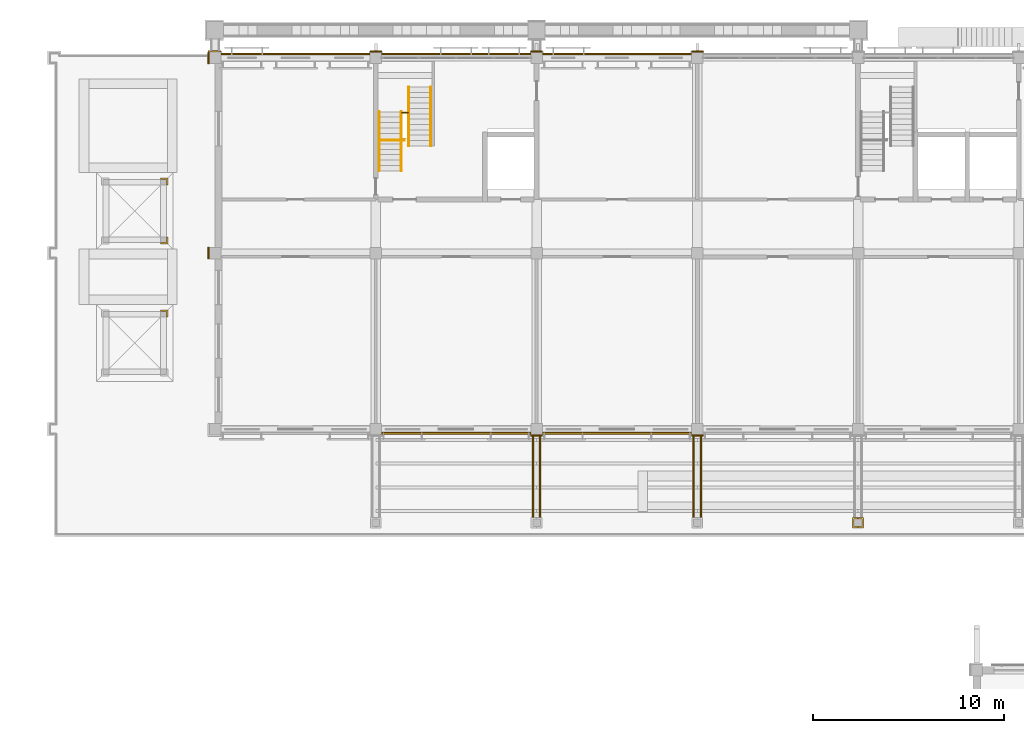
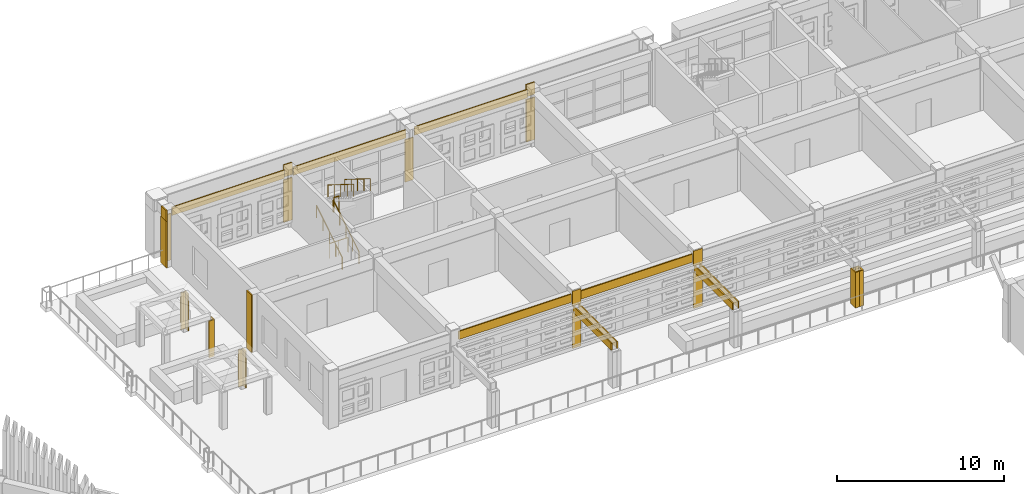
# One storey, part 60 of 68: 26 coverings, 6 railings.
"""IFC4 building model written with IfcOpenShell, lengths in metres."""

import ifcopenshell
import ifcopenshell.guid

model = None  # the IFC model being written
_history = None  # IfcOwnerHistory: only IFC2X3 demands one
_inside = {}  # id of a spatial element -> (the spatial element, [elements in it])
_under = {}  # id of a project, library or spatial element -> (it, [spatial elements below it])
_declared = {}  # id of a project -> (the project, [libraries it declares])
_typed = {}  # id of a type object -> (the type object, [elements of that type])
_made_of = {}  # id of a material, layer set ... -> (it, [elements and type objects made of it])


def new_model(schema):
    """Start an empty IFC model of exactly this schema.

    Asked for "IFC4X3", IfcOpenShell would pick the latest addendum, in which some entities
    have other attributes; the version numbers below select the first issue.
    IFC2X3 requires an IfcOwnerHistory on every rooted entity: one is made here for all.
    """
    global model, _history
    if schema == "IFC4X3":
        model = ifcopenshell.file(schema_version=(4, 3, 0, 0))
    else:
        model = ifcopenshell.file(schema=schema)
    _inside.clear()
    _under.clear()
    _declared.clear()
    _typed.clear()
    _made_of.clear()
    _history = None
    if model.schema == "IFC2X3":
        org = make("IfcOrganization", Name="unknown")
        user = make(
            "IfcPersonAndOrganization",
            ThePerson=make("IfcPerson", FamilyName="unknown"),
            TheOrganization=org,
        )
        app = make(
            "IfcApplication",
            ApplicationDeveloper=org,
            Version="unknown",
            ApplicationFullName="unknown",
            ApplicationIdentifier="unknown",
        )
        _history = make(
            "IfcOwnerHistory",
            OwningUser=user,
            OwningApplication=app,
            ChangeAction="ADDED",
            CreationDate=0,
        )
    return model


def make(cls, **values):
    """One entity of the class cls with the attributes given. An attribute that is None is left unset."""
    return model.create_entity(
        cls, **{name: value for name, value in values.items() if value is not None}
    )


def rooted(cls, **values):
    """An entity with a GlobalId (a new one), such as an element, a storey or a relation."""
    return make(cls, GlobalId=ifcopenshell.guid.new(), OwnerHistory=_history, **values)


def si_unit(unit_type, name, prefix=None):
    """IfcSIUnit, for example si_unit("LENGTHUNIT", "METRE", prefix="MILLI")."""
    return make("IfcSIUnit", UnitType=unit_type, Prefix=prefix, Name=name)


def assignment(units):
    """IfcUnitAssignment: the units of a project."""
    return None if units is None else make("IfcUnitAssignment", Units=units)


def point(xyz):
    """IfcCartesianPoint."""
    return None if xyz is None else make("IfcCartesianPoint", Coordinates=xyz)


def direction(xyz):
    """IfcDirection."""
    return None if xyz is None else make("IfcDirection", DirectionRatios=xyz)


def frame(location, z_axis=None, x_axis=None):
    """IfcAxis2Placement3D, a coordinate frame: its origin and axes. An axis left out is left unset."""
    return make(
        "IfcAxis2Placement3D",
        Location=point(location),
        Axis=direction(z_axis),
        RefDirection=direction(x_axis),
    )


def frame_2d(location, x_axis=None):
    """IfcAxis2Placement2D, a coordinate frame in the plane: its origin and x axis."""
    return make(
        "IfcAxis2Placement2D", Location=point(location), RefDirection=direction(x_axis)
    )


def origin():
    """The frame at (0, 0, 0) with its axes left unset."""
    return frame((0.0, 0.0, 0.0))


def origin_2d():
    """The frame at (0, 0) in the plane with its x axis left unset."""
    return frame_2d((0.0, 0.0))


def place(relative_to, where):
    """IfcLocalPlacement: puts the frame where relative to a parent placement (None: the world)."""
    return make(
        "IfcLocalPlacement", PlacementRelTo=relative_to, RelativePlacement=where
    )


def context(
    kind, dimensions, precision=None, world=None, true_north=None, identifier=None
):
    """IfcGeometricRepresentationContext, for example the 3D "Model" context."""
    return make(
        "IfcGeometricRepresentationContext",
        ContextIdentifier=identifier,
        ContextType=kind,
        CoordinateSpaceDimension=dimensions,
        Precision=precision,
        WorldCoordinateSystem=world,
        TrueNorth=true_north,
    )


def subcontext(parent, identifier, kind, view, scale=None):
    """IfcGeometricRepresentationSubContext, for example "Body" below "Model"."""
    return make(
        "IfcGeometricRepresentationSubContext",
        ContextIdentifier=identifier,
        ContextType=kind,
        ParentContext=parent,
        TargetScale=scale,
        TargetView=view,
    )


def project(units=None, contexts=None):
    """IfcProject with its units and contexts."""
    return rooted(
        "IfcProject",
        Name="project",
        RepresentationContexts=contexts,
        UnitsInContext=assignment(units),
    )


def spatial(cls, under=None, at=None, **own):
    """A site, building, storey or space (cls), placed at a placement, below another one or the project."""
    s = rooted(cls, ObjectPlacement=at, **own)
    if under is not None:
        _under.setdefault(under.id(), (under, []))[1].append(s)
    return s


def polyline(points):
    """IfcPolyline through the points."""
    return make("IfcPolyline", Points=[point(p) for p in points])


def profile(cls, at=None, kind="AREA", **sizes):
    """A parametric profile (cls). Its sizes go by their IFC names, for example OverallWidth=200.0."""
    return make(cls, ProfileType=kind, Position=at, **sizes)


def circle(**sizes):
    """IfcCircleProfileDef."""
    return profile("IfcCircleProfileDef", **sizes)


def outline(outer, holes=None, kind="AREA"):
    """IfcArbitraryClosedProfileDef: a profile drawn as a closed curve; with holes, ...WithVoids."""
    if holes is None:
        return make("IfcArbitraryClosedProfileDef", ProfileType=kind, OuterCurve=outer)
    return make(
        "IfcArbitraryProfileDefWithVoids",
        ProfileType=kind,
        OuterCurve=outer,
        InnerCurves=holes,
    )


def extrude(swept, where, along, depth):
    """IfcExtrudedAreaSolid: the profile swept, set in the frame where, extruded along a direction by depth."""
    return make(
        "IfcExtrudedAreaSolid",
        SweptArea=swept,
        Position=where,
        ExtrudedDirection=direction(along),
        Depth=depth,
    )


def shape(context_of_items, identifier, shape_type, items):
    """IfcShapeRepresentation: the items that make up one representation, for example the "Body"."""
    return make(
        "IfcShapeRepresentation",
        ContextOfItems=context_of_items,
        RepresentationIdentifier=identifier,
        RepresentationType=shape_type,
        Items=items,
    )


def material(Name=None, Category=None):
    """IfcMaterial."""
    return make("IfcMaterial", Name=Name, Category=Category)


def layer(
    of_material, thickness, ventilated=None, Name=None, Category=None, Priority=None
):
    """IfcMaterialLayer: one layer of a wall or slab, of a material (None: an air gap)."""
    return make(
        "IfcMaterialLayer",
        Material=of_material,
        LayerThickness=thickness,
        IsVentilated=ventilated,
        Name=Name,
        Category=Category,
        Priority=Priority,
    )


def layer_set(layers, Name=None):
    """IfcMaterialLayerSet."""
    return make("IfcMaterialLayerSet", MaterialLayers=layers, LayerSetName=Name)


def made_of(thing, what):
    """Note that an element or type object is made of a material, layer set ...; save() writes the relation."""
    if what is not None:
        _made_of.setdefault(what.id(), (what, []))[1].append(thing)
    return thing


def type_object(cls, material=None, **own):
    """A type object (cls), such as IfcWallType, which elements share."""
    return made_of(rooted(cls, **own), material)


def element(
    cls,
    number,
    at=None,
    inside=None,
    cuts=None,
    type_object=None,
    material=None,
    context=None,
    identifier="Body",
    shape_type=None,
    held_by="IfcProductDefinitionShape",
    body=None,
    shapes=None,
    **own,
):
    """One element of the class cls, such as IfcWall. Its Tag is "e" and its number.

    at: its placement. inside: the storey or other place that contains it. cuts: it is an
    opening in that element (IfcRelVoidsElement). A single representation is given by context,
    identifier, shape_type and body (its items); several are given by shapes. held_by: the class
    of the entity that holds the representations. save() writes the other relations.
    """
    e = rooted(cls, Tag="e%d" % number, ObjectPlacement=at, **own)
    if body is not None:
        shapes = [shape(context, identifier, shape_type, body)]
    if shapes is not None:
        e.Representation = make(held_by, Representations=shapes)
    if inside is not None:
        _inside.setdefault(inside.id(), (inside, []))[1].append(e)
    if cuts is not None:
        rooted(
            "IfcRelVoidsElement", RelatingBuildingElement=cuts, RelatedOpeningElement=e
        )
    if type_object is not None:
        _typed.setdefault(type_object.id(), (type_object, []))[1].append(e)
    return made_of(e, material)


def aggregate(whole, parts):
    """IfcRelAggregates: a whole, such as a stair, and the parts it consists of."""
    return rooted("IfcRelAggregates", RelatingObject=whole, RelatedObjects=parts)


def save(model, path):
    """Write the relations noted so far, then the file.

    IfcRelAggregates (storeys below a building ...), IfcRelContainedInSpatialStructure (elements
    in a storey), IfcRelDefinesByType, IfcRelAssociatesMaterial and IfcRelDeclares: one each for
    every whole, place, type object, material and project.
    """
    for whole, parts in _under.values():
        aggregate(whole, parts)
    for where, things in _inside.values():
        rooted(
            "IfcRelContainedInSpatialStructure",
            RelatedElements=things,
            RelatingStructure=where,
        )
    for kind, things in _typed.values():
        rooted("IfcRelDefinesByType", RelatedObjects=things, RelatingType=kind)
    for what, things in _made_of.values():
        rooted("IfcRelAssociatesMaterial", RelatedObjects=things, RelatingMaterial=what)
    for by, libraries in _declared.values():
        rooted("IfcRelDeclares", RelatingContext=by, RelatedDefinitions=libraries)
    model.write(path)


model = new_model("IFC4")

# Units and contexts
model_context = context("Model", 3, precision=1e-05, world=origin(), true_north=direction((0.0, 1.0)))
body_context = subcontext(model_context, "Body", "Model", "MODEL_VIEW")
ifc_project = project(units=[si_unit("LENGTHUNIT", "METRE"), si_unit("AREAUNIT", "SQUARE_METRE"), si_unit("VOLUMEUNIT", "CUBIC_METRE"), si_unit("PLANEANGLEUNIT", "RADIAN"), si_unit("MASSUNIT", "GRAM", prefix="KILO")], contexts=[model_context])

# Site, building, storey
site_placement = place(None, origin())
site = spatial("IfcSite", under=ifc_project, at=site_placement, CompositionType="ELEMENT")
building_placement = place(site_placement, origin())
building = spatial("IfcBuilding", under=site, at=building_placement, Name="Wasatch Bagh Community Centre", CompositionType="ELEMENT")
storey_placement = place(building_placement, frame((0.0, 0.0, 8.39990234375)))
storey = spatial("IfcBuildingStorey", under=building, at=storey_placement, Name="L02", CompositionType="ELEMENT", Elevation=8.39990234375)

# Coverings
ifc_material_1 = material(Name="Cast stone cladding", Category="masonry")
ifc_layer_1 = layer(ifc_material_1, 0.080078125)
ifc_layer_set_1 = layer_set([ifc_layer_1], Name="Cast stone cladding")
covering_type_1 = type_object("IfcCoveringType", Name="CL-B7 beam facing", PredefinedType="CLADDING", material=ifc_layer_set_1)
covering_1_placement = place(storey_placement, frame((0.0, 0.0, 3.320068359375)))
element("IfcCovering", 1, at=covering_1_placement, inside=storey, type_object=covering_type_1, Name="Beam facing", PredefinedType="CLADDING", context=body_context, shape_type="SweptSolid", body=[
    extrude(outline(polyline([(81.10009765625, 78.22509765625), (88.89990234375, 78.22509765625), (88.89990234375, 78.14501953125), (81.10009765625, 78.14501953125), (81.10009765625, 78.22509765625)])), origin(), (0.0, 0.0, 1.0), 0.60009765625),
])
covering_2_placement = place(storey_placement, frame((0.0, 0.0, 3.320068359375)))
element("IfcCovering", 2, at=covering_2_placement, inside=storey, type_object=covering_type_1, Name="Beam facing", PredefinedType="CLADDING", context=body_context, shape_type="SweptSolid", body=[
    extrude(outline(polyline([(89.5, 78.22509765625), (97.300048828125, 78.22509765625), (97.300048828125, 78.14501953125), (89.5, 78.14501953125), (89.5, 78.22509765625)])), origin(), (0.0, 0.0, 1.0), 0.60009765625),
])
covering_3_placement = place(storey_placement, frame((0.0, 0.0, 3.320068359375)))
element("IfcCovering", 3, at=covering_3_placement, inside=storey, type_object=covering_type_1, Name="Beam facing", PredefinedType="CLADDING", context=body_context, shape_type="SweptSolid", body=[
    extrude(outline(polyline([(72.699951171875, 97.97509765625), (80.5, 97.97509765625), (80.5, 98.054931640625), (72.699951171875, 98.054931640625), (72.699951171875, 97.97509765625)])), origin(), (0.0, 0.0, 1.0), 0.60009765625),
])
covering_4_placement = place(storey_placement, frame((0.0, 0.0, 3.320068359375)))
element("IfcCovering", 4, at=covering_4_placement, inside=storey, type_object=covering_type_1, Name="Beam facing", PredefinedType="CLADDING", context=body_context, shape_type="SweptSolid", body=[
    extrude(outline(polyline([(81.10009765625, 97.97509765625), (88.89990234375, 97.97509765625), (88.89990234375, 98.054931640625), (81.10009765625, 98.054931640625), (81.10009765625, 97.97509765625)])), origin(), (0.0, 0.0, 1.0), 0.60009765625),
])
covering_5_placement = place(storey_placement, frame((0.0, 0.0, 3.320068359375)))
element("IfcCovering", 5, at=covering_5_placement, inside=storey, type_object=covering_type_1, Name="Beam facing", PredefinedType="CLADDING", context=body_context, shape_type="SweptSolid", body=[
    extrude(outline(polyline([(89.5, 97.97509765625), (97.300048828125, 97.97509765625), (97.300048828125, 98.054931640625), (89.5, 98.054931640625), (89.5, 97.97509765625)])), origin(), (0.0, 0.0, 1.0), 0.60009765625),
])
covering_6_placement = place(storey_placement, frame((0.0, 0.0, 2.60009765625)))
element("IfcCovering", 6, at=covering_6_placement, inside=storey, type_object=covering_type_1, Name="Beam facing", PredefinedType="CLADDING", context=body_context, shape_type="SweptSolid", body=[
    extrude(outline(polyline([(89.35009765625, 78.10009765625), (89.35009765625, 73.5), (89.429931640625, 73.5), (89.429931640625, 78.10009765625), (89.35009765625, 78.10009765625)])), origin(), (0.0, 0.0, 1.0), 0.5),
])
covering_7_placement = place(storey_placement, frame((0.0, 0.0, 2.60009765625)))
element("IfcCovering", 7, at=covering_7_placement, inside=storey, type_object=covering_type_1, Name="Beam facing", PredefinedType="CLADDING", context=body_context, shape_type="SweptSolid", body=[
    extrude(outline(polyline([(89.050048828125, 78.10009765625), (89.050048828125, 73.5), (88.969970703125, 73.5), (88.969970703125, 78.10009765625), (89.050048828125, 78.10009765625)])), origin(), (0.0, 0.0, 1.0), 0.5),
])
covering_8_placement = place(storey_placement, frame((0.0, 0.0, 2.60009765625)))
element("IfcCovering", 8, at=covering_8_placement, inside=storey, type_object=covering_type_1, Name="Beam facing", PredefinedType="CLADDING", context=body_context, shape_type="SweptSolid", body=[
    extrude(outline(polyline([(97.75, 78.10009765625), (97.75, 73.5), (97.830078125, 73.5), (97.830078125, 78.10009765625), (97.75, 78.10009765625)])), origin(), (0.0, 0.0, 1.0), 0.5),
])
covering_9_placement = place(storey_placement, frame((0.0, 0.0, 2.60009765625)))
element("IfcCovering", 9, at=covering_9_placement, inside=storey, type_object=covering_type_1, Name="Beam facing", PredefinedType="CLADDING", context=body_context, shape_type="SweptSolid", body=[
    extrude(outline(polyline([(97.449951171875, 78.10009765625), (97.449951171875, 73.5), (97.3701171875, 73.5), (97.3701171875, 78.10009765625), (97.449951171875, 78.10009765625)])), origin(), (0.0, 0.0, 1.0), 0.5),
])
ifc_layer_2 = layer(ifc_material_1, 0.080078125)
ifc_layer_set_2 = layer_set([ifc_layer_2], Name="Cast stone cladding")
covering_type_2 = type_object("IfcCoveringType", Name="CL-C1 column facing", PredefinedType="CLADDING", material=ifc_layer_set_2)
covering_10_placement = place(storey_placement, origin())
element("IfcCovering", 10, at=covering_10_placement, inside=storey, type_object=covering_type_2, Name="Column facing", PredefinedType="CLADDING", context=body_context, shape_type="SweptSolid", body=[
    extrude(outline(polyline([(72.10009765625, 87.89990234375), (72.10009765625, 87.300048828125), (72.02001953125, 87.300048828125), (72.02001953125, 87.89990234375), (72.10009765625, 87.89990234375)])), origin(), (0.0, 0.0, 1.0), 4.2001953125),
])
covering_11_placement = place(storey_placement, origin())
element("IfcCovering", 11, at=covering_11_placement, inside=storey, type_object=covering_type_2, Name="Column facing", PredefinedType="CLADDING", context=body_context, shape_type="SweptSolid", body=[
    extrude(outline(polyline([(72.10009765625, 97.5), (72.02001953125, 97.5), (72.02001953125, 98.179931640625), (72.699951171875, 98.179931640625), (72.699951171875, 98.10009765625), (72.10009765625, 98.10009765625), (72.10009765625, 97.5)])), origin(), (0.0, 0.0, 1.0), 3.400146484375),
])
covering_12_placement = place(storey_placement, frame((0.0, 0.0, 3.400146484375)))
element("IfcCovering", 12, at=covering_12_placement, inside=storey, type_object=covering_type_2, Name="Column facing", PredefinedType="CLADDING", context=body_context, shape_type="SweptSolid", body=[
    extrude(outline(polyline([(72.10009765625, 98.10009765625), (72.10009765625, 97.5), (72.02001953125, 97.5), (72.02001953125, 98.10009765625), (72.10009765625, 98.10009765625)])), origin(), (0.0, 0.0, 1.0), 0.800048828125),
])
covering_13_placement = place(storey_placement, origin())
element("IfcCovering", 13, at=covering_13_placement, inside=storey, type_object=covering_type_2, Name="Column facing", PredefinedType="CLADDING", context=body_context, shape_type="SweptSolid", body=[
    extrude(outline(polyline([(81.10009765625, 98.10009765625), (80.5, 98.10009765625), (80.5, 98.179931640625), (81.10009765625, 98.179931640625), (81.10009765625, 98.10009765625)])), origin(), (0.0, 0.0, 1.0), 3.10009765625),
])
covering_14_placement = place(storey_placement, frame((0.0, 0.0, 3.320068359375)))
element("IfcCovering", 14, at=covering_14_placement, inside=storey, type_object=covering_type_2, Name="Column facing", PredefinedType="CLADDING", context=body_context, shape_type="SweptSolid", body=[
    extrude(outline(polyline([(81.10009765625, 98.10009765625), (80.5, 98.10009765625), (80.5, 98.179931640625), (81.10009765625, 98.179931640625), (81.10009765625, 98.10009765625)])), origin(), (0.0, 0.0, 1.0), 0.880126953125),
])
covering_15_placement = place(storey_placement, origin())
element("IfcCovering", 15, at=covering_15_placement, inside=storey, type_object=covering_type_2, Name="Column facing", PredefinedType="CLADDING", context=body_context, shape_type="SweptSolid", body=[
    extrude(outline(polyline([(89.5, 98.10009765625), (88.89990234375, 98.10009765625), (88.89990234375, 98.179931640625), (89.5, 98.179931640625), (89.5, 98.10009765625)])), origin(), (0.0, 0.0, 1.0), 3.10009765625),
])
covering_16_placement = place(storey_placement, origin())
element("IfcCovering", 16, at=covering_16_placement, inside=storey, type_object=covering_type_2, Name="Column facing", PredefinedType="CLADDING", context=body_context, shape_type="SweptSolid", body=[
    extrude(outline(polyline([(97.89990234375, 98.10009765625), (97.300048828125, 98.10009765625), (97.300048828125, 98.179931640625), (97.89990234375, 98.179931640625), (97.89990234375, 98.10009765625)])), origin(), (0.0, 0.0, 1.0), 3.10009765625),
])
covering_17_placement = place(storey_placement, frame((0.0, 0.0, 3.320068359375)))
element("IfcCovering", 17, at=covering_17_placement, inside=storey, type_object=covering_type_2, Name="Column facing", PredefinedType="CLADDING", context=body_context, shape_type="SweptSolid", body=[
    extrude(outline(polyline([(97.89990234375, 98.10009765625), (97.300048828125, 98.10009765625), (97.300048828125, 98.179931640625), (97.89990234375, 98.179931640625), (97.89990234375, 98.10009765625)])), origin(), (0.0, 0.0, 1.0), 0.880126953125),
])
covering_18_placement = place(storey_placement, origin())
element("IfcCovering", 18, at=covering_18_placement, inside=storey, type_object=covering_type_2, Name="Column facing", PredefinedType="CLADDING", context=body_context, shape_type="SweptSolid", body=[
    extrude(outline(polyline([(88.89990234375, 78.10009765625), (89.5, 78.10009765625), (89.5, 78.02001953125), (88.89990234375, 78.02001953125), (88.89990234375, 78.10009765625)])), origin(), (0.0, 0.0, 1.0), 2.60009765625),
])
covering_19_placement = place(storey_placement, frame((0.0, 0.0, 3.10009765625)))
element("IfcCovering", 19, at=covering_19_placement, inside=storey, type_object=covering_type_2, Name="Column facing", PredefinedType="CLADDING", context=body_context, shape_type="SweptSolid", body=[
    extrude(outline(polyline([(88.89990234375, 78.10009765625), (89.5, 78.10009765625), (89.5, 78.02001953125), (88.89990234375, 78.02001953125), (88.89990234375, 78.10009765625)])), origin(), (0.0, 0.0, 1.0), 1.10009765625),
])
covering_20_placement = place(storey_placement, origin())
element("IfcCovering", 20, at=covering_20_placement, inside=storey, type_object=covering_type_2, Name="Column facing", PredefinedType="CLADDING", context=body_context, shape_type="SweptSolid", body=[
    extrude(outline(polyline([(97.300048828125, 78.10009765625), (97.89990234375, 78.10009765625), (97.89990234375, 78.02001953125), (97.300048828125, 78.02001953125), (97.300048828125, 78.10009765625)])), origin(), (0.0, 0.0, 1.0), 2.60009765625),
])
covering_21_placement = place(storey_placement, frame((0.0, 0.0, 3.10009765625)))
element("IfcCovering", 21, at=covering_21_placement, inside=storey, type_object=covering_type_2, Name="Column facing", PredefinedType="CLADDING", context=body_context, shape_type="SweptSolid", body=[
    extrude(outline(polyline([(97.300048828125, 78.10009765625), (97.89990234375, 78.10009765625), (97.89990234375, 78.02001953125), (97.300048828125, 78.02001953125), (97.300048828125, 78.10009765625)])), origin(), (0.0, 0.0, 1.0), 1.10009765625),
])
covering_22_placement = place(storey_placement, origin())
element("IfcCovering", 22, at=covering_22_placement, inside=storey, type_object=covering_type_2, Name="Column facing", PredefinedType="CLADDING", context=body_context, shape_type="SweptSolid", body=[
    extrude(outline(polyline([(69.85009765625, 84.550048828125), (69.550048828125, 84.550048828125), (69.550048828125, 84.6298828125), (69.929931640625, 84.6298828125), (69.929931640625, 84.550048828125), (69.929931640625, 84.25), (69.85009765625, 84.25), (69.85009765625, 84.550048828125)])), origin(), (0.0, 0.0, 1.0), 2.7001953125),
])
covering_23_placement = place(storey_placement, origin())
element("IfcCovering", 23, at=covering_23_placement, inside=storey, type_object=covering_type_2, Name="Column facing", PredefinedType="CLADDING", context=body_context, shape_type="SweptSolid", body=[
    extrude(outline(polyline([(69.85009765625, 91.449951171875), (69.550048828125, 91.449951171875), (69.550048828125, 91.530029296875), (69.929931640625, 91.530029296875), (69.929931640625, 91.449951171875), (69.929931640625, 91.14990234375), (69.85009765625, 91.14990234375), (69.85009765625, 91.449951171875)])), origin(), (0.0, 0.0, 1.0), 2.7001953125),
])
covering_24_placement = place(storey_placement, origin())
element("IfcCovering", 24, at=covering_24_placement, inside=storey, type_object=covering_type_2, Name="Column facing", PredefinedType="CLADDING", context=body_context, shape_type="SweptSolid", body=[
    extrude(outline(polyline([(69.85009765625, 88.14990234375), (69.85009765625, 88.449951171875), (69.929931640625, 88.449951171875), (69.929931640625, 88.14990234375), (69.929931640625, 88.070068359375), (69.550048828125, 88.070068359375), (69.550048828125, 88.14990234375), (69.85009765625, 88.14990234375)])), origin(), (0.0, 0.0, 1.0), 2.7001953125),
])
covering_25_placement = place(storey_placement, origin())
element("IfcCovering", 25, at=covering_25_placement, inside=storey, type_object=covering_type_2, Name="Column facing", PredefinedType="CLADDING", context=body_context, shape_type="SweptSolid", body=[
    extrude(outline(polyline([(106.0, 73.780029296875), (106.0, 73.699951171875), (105.800048828125, 73.699951171875), (105.800048828125, 73.300048828125), (106.0, 73.300048828125), (106.0, 73.219970703125), (105.800048828125, 73.219970703125), (105.719970703125, 73.219970703125), (105.719970703125, 73.780029296875), (106.0, 73.780029296875)])), origin(), (0.0, 0.0, 1.0), 2.60009765625),
])
covering_26_placement = place(storey_placement, origin())
element("IfcCovering", 26, at=covering_26_placement, inside=storey, type_object=covering_type_2, Name="Column facing", PredefinedType="CLADDING", context=body_context, shape_type="SweptSolid", body=[
    extrude(outline(polyline([(106.280029296875, 73.780029296875), (106.280029296875, 73.699951171875), (106.280029296875, 73.300048828125), (106.280029296875, 73.219970703125), (106.199951171875, 73.219970703125), (106.0, 73.219970703125), (106.0, 73.300048828125), (106.199951171875, 73.300048828125), (106.199951171875, 73.699951171875), (106.0, 73.699951171875), (106.0, 73.780029296875), (106.280029296875, 73.780029296875)])), origin(), (0.0, 0.0, 1.0), 2.60009765625),
])

# Railings
ifc_material_2 = material(Name="Painted steel with jali infill", Category="steel")
railing_type_1 = type_object("IfcRailingType", Name="LW guard 1100", PredefinedType="GUARDRAIL", material=ifc_material_2)
railing_1_placement = place(storey_placement, frame((81.0, 93.5, 0.0)))
element("IfcRailing", 27, at=railing_1_placement, inside=storey, type_object=railing_type_1, Name="Guard C1", PredefinedType="GUARDRAIL", context=body_context, shape_type="SweptSolid", body=[
    extrude(circle(Radius=0.02490234375, at=origin_2d()), frame((0.0, 0.0, 1.0751953125), z_axis=(1.0, 0.0, 0.0), x_axis=(0.0, 1.0, 0.0)), (0.0, 0.0, 1.0), 1.300048828125),
    extrude(circle(Radius=0.02001953125, at=origin_2d()), origin(), (0.0, 0.0, 1.0), 1.050048828125),
    extrude(circle(Radius=0.02001953125, at=origin_2d()), frame((0.64990234375, 0.0, 0.0)), (0.0, 0.0, 1.0), 1.050048828125),
    extrude(circle(Radius=0.02001953125, at=origin_2d()), frame((1.300048828125, 0.0, 0.0)), (0.0, 0.0, 1.0), 1.050048828125),
])
railing_2_placement = place(storey_placement, frame((82.159912109375, 94.929931640625, 2.10009765625)))
element("IfcRailing", 28, at=railing_2_placement, inside=storey, type_object=railing_type_1, Name="Guard C1", PredefinedType="GUARDRAIL", context=body_context, shape_type="SweptSolid", body=[
    extrude(circle(Radius=0.02490234375, at=origin_2d()), frame((0.0, 0.0, 1.0751953125), z_axis=(1.0, 0.0, 0.0), x_axis=(0.0, 1.0, 0.0)), (0.0, 0.0, 1.0), 0.330078125),
    extrude(circle(Radius=0.02001953125, at=origin_2d()), origin(), (0.0, 0.0, 1.0), 1.050048828125),
    extrude(circle(Radius=0.02001953125, at=origin_2d()), frame((0.330078125, 0.0, 0.0)), (0.0, 0.0, 1.0), 1.050048828125),
])
ifc_material_3 = material(Name="Painted steel tube", Category="steel")
railing_type_2 = type_object("IfcRailingType", Name="LW stair handrail 900", PredefinedType="HANDRAIL", material=ifc_material_3)
for number, where, name in (
    (29, (80.97509765625, 91.89990234375, 0.175048828125), "Handrail C1"),
    (30, (82.135009765625, 91.89990234375, 0.175048828125), "Handrail C1"),
):
    element("IfcRailing", number, at=place(storey_placement, frame(where)), inside=storey, type_object=railing_type_2, Name=name, PredefinedType="HANDRAIL", context=body_context, shape_type="SweptSolid", body=[
        extrude(circle(Radius=0.0224609375, at=origin_2d()), frame((0.0, 0.0, 0.87744140625), z_axis=(0.0, 0.847998304005, 0.529998940003), x_axis=(-1.0, 0.0, 0.0)), (0.0, 0.0, 1.0), 3.632080078125),
        extrude(circle(Radius=0.02001953125, at=origin_2d()), origin(), (0.0, 0.0, 1.0), 0.85498046875),
        extrude(circle(Radius=0.02001953125, at=origin_2d()), frame((0.0, 0.77001953125, 0.481201171875)), (0.0, 0.0, 1.0), 0.85498046875),
        extrude(circle(Radius=0.02001953125, at=origin_2d()), frame((0.0, 1.5400390625, 0.96240234375)), (0.0, 0.0, 1.0), 0.85498046875),
        extrude(circle(Radius=0.02001953125, at=origin_2d()), frame((0.0, 2.31005859375, 1.44384765625)), (0.0, 0.0, 1.0), 0.85498046875),
        extrude(circle(Radius=0.02001953125, at=origin_2d()), frame((0.0, 3.080078125, 1.925048828125)), (0.0, 0.0, 1.0), 0.85498046875),
    ])
for number, where, name in (
    (31, (82.514892578125, 96.280029296875, 2.275146484375), "Handrail C1"),
    (32, (83.675048828125, 96.280029296875, 2.275146484375), "Handrail C1"),
):
    element("IfcRailing", number, at=place(storey_placement, frame(where)), inside=storey, type_object=railing_type_2, Name=name, PredefinedType="HANDRAIL", context=body_context, shape_type="SweptSolid", body=[
        extrude(circle(Radius=0.0224609375, at=origin_2d()), frame((0.0, 0.0, 0.87744140625), z_axis=(0.0, -0.847998304005, 0.529998940003), x_axis=(1.0, 0.0, 0.0)), (0.0, 0.0, 1.0), 3.632080078125),
        extrude(circle(Radius=0.02001953125, at=origin_2d()), origin(), (0.0, 0.0, 1.0), 0.85498046875),
        extrude(circle(Radius=0.02001953125, at=origin_2d()), frame((0.0, -0.77001953125, 0.481201171875)), (0.0, 0.0, 1.0), 0.85498046875),
        extrude(circle(Radius=0.02001953125, at=origin_2d()), frame((0.0, -1.5400390625, 0.96240234375)), (0.0, 0.0, 1.0), 0.85498046875),
        extrude(circle(Radius=0.02001953125, at=origin_2d()), frame((0.0, -2.31005859375, 1.44384765625)), (0.0, 0.0, 1.0), 0.85498046875),
        extrude(circle(Radius=0.02001953125, at=origin_2d()), frame((0.0, -3.080078125, 1.925048828125)), (0.0, 0.0, 1.0), 0.85498046875),
    ])

save(model, "model.ifc")
